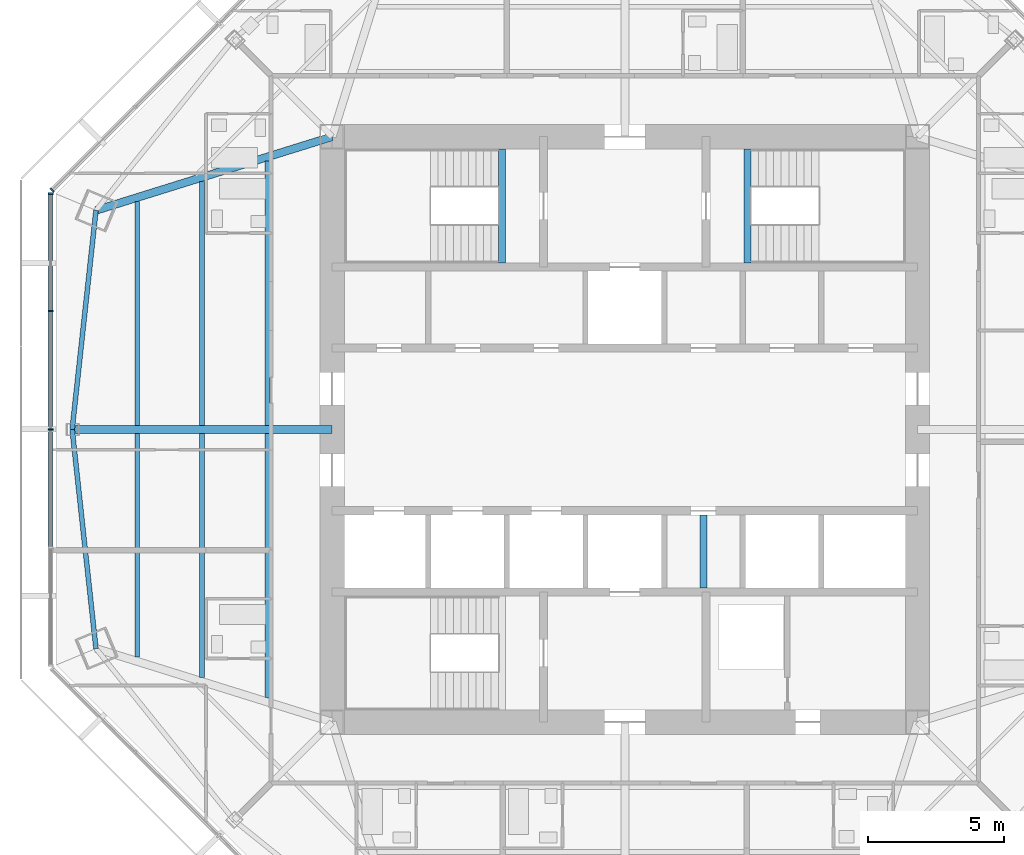
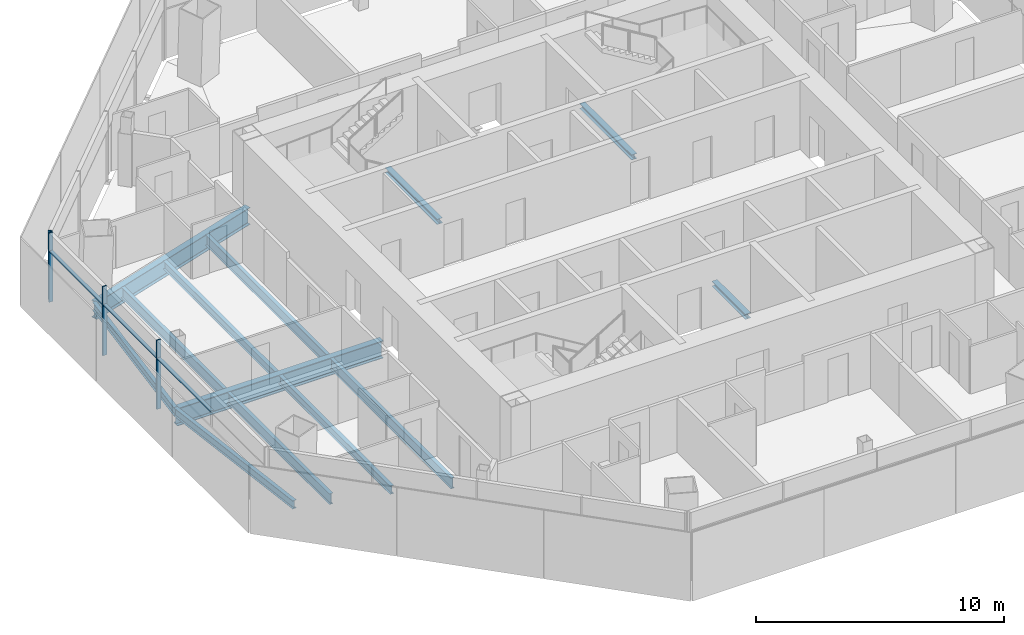
# One storey, part 3 of 14: 13 beams, 7 members, 2 elements without a shape of their own.
"""IFC4 building model written with IfcOpenShell, lengths in metres."""

import ifcopenshell
import ifcopenshell.guid

model = None  # the IFC model being written
_history = None  # IfcOwnerHistory: only IFC2X3 demands one
_inside = {}  # id of a spatial element -> (the spatial element, [elements in it])
_under = {}  # id of a project, library or spatial element -> (it, [spatial elements below it])
_declared = {}  # id of a project -> (the project, [libraries it declares])
_typed = {}  # id of a type object -> (the type object, [elements of that type])
_made_of = {}  # id of a material, layer set ... -> (it, [elements and type objects made of it])


def new_model(schema):
    """Start an empty IFC model of exactly this schema.

    Asked for "IFC4X3", IfcOpenShell would pick the latest addendum, in which some entities
    have other attributes; the version numbers below select the first issue.
    IFC2X3 requires an IfcOwnerHistory on every rooted entity: one is made here for all.
    """
    global model, _history
    if schema == "IFC4X3":
        model = ifcopenshell.file(schema_version=(4, 3, 0, 0))
    else:
        model = ifcopenshell.file(schema=schema)
    _inside.clear()
    _under.clear()
    _declared.clear()
    _typed.clear()
    _made_of.clear()
    _history = None
    if model.schema == "IFC2X3":
        org = make("IfcOrganization", Name="unknown")
        user = make(
            "IfcPersonAndOrganization",
            ThePerson=make("IfcPerson", FamilyName="unknown"),
            TheOrganization=org,
        )
        app = make(
            "IfcApplication",
            ApplicationDeveloper=org,
            Version="unknown",
            ApplicationFullName="unknown",
            ApplicationIdentifier="unknown",
        )
        _history = make(
            "IfcOwnerHistory",
            OwningUser=user,
            OwningApplication=app,
            ChangeAction="ADDED",
            CreationDate=0,
        )
    return model


def make(cls, **values):
    """One entity of the class cls with the attributes given. An attribute that is None is left unset."""
    return model.create_entity(
        cls, **{name: value for name, value in values.items() if value is not None}
    )


def rooted(cls, **values):
    """An entity with a GlobalId (a new one), such as an element, a storey or a relation."""
    return make(cls, GlobalId=ifcopenshell.guid.new(), OwnerHistory=_history, **values)


def si_unit(unit_type, name, prefix=None):
    """IfcSIUnit, for example si_unit("LENGTHUNIT", "METRE", prefix="MILLI")."""
    return make("IfcSIUnit", UnitType=unit_type, Prefix=prefix, Name=name)


def assignment(units):
    """IfcUnitAssignment: the units of a project."""
    return None if units is None else make("IfcUnitAssignment", Units=units)


def point(xyz):
    """IfcCartesianPoint."""
    return None if xyz is None else make("IfcCartesianPoint", Coordinates=xyz)


def direction(xyz):
    """IfcDirection."""
    return None if xyz is None else make("IfcDirection", DirectionRatios=xyz)


def frame(location, z_axis=None, x_axis=None):
    """IfcAxis2Placement3D, a coordinate frame: its origin and axes. An axis left out is left unset."""
    return make(
        "IfcAxis2Placement3D",
        Location=point(location),
        Axis=direction(z_axis),
        RefDirection=direction(x_axis),
    )


def frame_2d(location, x_axis=None):
    """IfcAxis2Placement2D, a coordinate frame in the plane: its origin and x axis."""
    return make(
        "IfcAxis2Placement2D", Location=point(location), RefDirection=direction(x_axis)
    )


def origin():
    """The frame at (0, 0, 0) with its axes left unset."""
    return frame((0.0, 0.0, 0.0))


def origin_2d():
    """The frame at (0, 0) in the plane with its x axis left unset."""
    return frame_2d((0.0, 0.0))


def place(relative_to, where):
    """IfcLocalPlacement: puts the frame where relative to a parent placement (None: the world)."""
    return make(
        "IfcLocalPlacement", PlacementRelTo=relative_to, RelativePlacement=where
    )


def context(
    kind, dimensions, precision=None, world=None, true_north=None, identifier=None
):
    """IfcGeometricRepresentationContext, for example the 3D "Model" context."""
    return make(
        "IfcGeometricRepresentationContext",
        ContextIdentifier=identifier,
        ContextType=kind,
        CoordinateSpaceDimension=dimensions,
        Precision=precision,
        WorldCoordinateSystem=world,
        TrueNorth=true_north,
    )


def subcontext(parent, identifier, kind, view, scale=None):
    """IfcGeometricRepresentationSubContext, for example "Body" below "Model"."""
    return make(
        "IfcGeometricRepresentationSubContext",
        ContextIdentifier=identifier,
        ContextType=kind,
        ParentContext=parent,
        TargetScale=scale,
        TargetView=view,
    )


def project(units=None, contexts=None):
    """IfcProject with its units and contexts."""
    return rooted(
        "IfcProject",
        Name="project",
        RepresentationContexts=contexts,
        UnitsInContext=assignment(units),
    )


def spatial(cls, under=None, at=None, **own):
    """A site, building, storey or space (cls), placed at a placement, below another one or the project."""
    s = rooted(cls, ObjectPlacement=at, **own)
    if under is not None:
        _under.setdefault(under.id(), (under, []))[1].append(s)
    return s


def profile(cls, at=None, kind="AREA", **sizes):
    """A parametric profile (cls). Its sizes go by their IFC names, for example OverallWidth=200.0."""
    return make(cls, ProfileType=kind, Position=at, **sizes)


def rectangle(**sizes):
    """IfcRectangleProfileDef."""
    return profile("IfcRectangleProfileDef", **sizes)


def i_section(**sizes):
    """IfcIShapeProfileDef."""
    return profile("IfcIShapeProfileDef", **sizes)


def extrude(swept, where, along, depth):
    """IfcExtrudedAreaSolid: the profile swept, set in the frame where, extruded along a direction by depth."""
    return make(
        "IfcExtrudedAreaSolid",
        SweptArea=swept,
        Position=where,
        ExtrudedDirection=direction(along),
        Depth=depth,
    )


def shape(context_of_items, identifier, shape_type, items):
    """IfcShapeRepresentation: the items that make up one representation, for example the "Body"."""
    return make(
        "IfcShapeRepresentation",
        ContextOfItems=context_of_items,
        RepresentationIdentifier=identifier,
        RepresentationType=shape_type,
        Items=items,
    )


def source(mapping_origin, context_of_items, identifier, shape_type, items):
    """IfcRepresentationMap: a shape defined once, which mapped items show again and again."""
    return make(
        "IfcRepresentationMap",
        MappingOrigin=mapping_origin,
        MappedRepresentation=shape(context_of_items, identifier, shape_type, items),
    )


def transform(
    local_origin,
    x_axis=None,
    y_axis=None,
    z_axis=None,
    scale=None,
    scale2=None,
    scale3=None,
    uniform=True,
):
    """IfcCartesianTransformationOperator3D, or its non-uniform kind. x_axis, y_axis, z_axis: its Axis1, 2, 3."""
    if uniform:
        return make(
            "IfcCartesianTransformationOperator3D",
            Axis1=direction(x_axis),
            Axis2=direction(y_axis),
            LocalOrigin=point(local_origin),
            Scale=scale,
            Axis3=direction(z_axis),
        )
    return make(
        "IfcCartesianTransformationOperator3DnonUniform",
        Axis1=direction(x_axis),
        Axis2=direction(y_axis),
        LocalOrigin=point(local_origin),
        Scale=scale,
        Axis3=direction(z_axis),
        Scale2=scale2,
        Scale3=scale3,
    )


def mapped(mapping_source, mapping_target):
    """IfcMappedItem: shows the shape of a source again, moved by a transform."""
    return make(
        "IfcMappedItem", MappingSource=mapping_source, MappingTarget=mapping_target
    )


def material(Name=None, Category=None):
    """IfcMaterial."""
    return make("IfcMaterial", Name=Name, Category=Category)


def material_profile(
    of_material, cross_section, Name=None, Category=None, Priority=None
):
    """IfcMaterialProfile: a cross section and its material."""
    return make(
        "IfcMaterialProfile",
        Name=Name,
        Material=of_material,
        Profile=cross_section,
        Priority=Priority,
        Category=Category,
    )


def profile_set(profiles, Name=None, composite=None):
    """IfcMaterialProfileSet."""
    return make(
        "IfcMaterialProfileSet",
        Name=Name,
        MaterialProfiles=profiles,
        CompositeProfile=composite,
    )


def made_of(thing, what):
    """Note that an element or type object is made of a material, layer set ...; save() writes the relation."""
    if what is not None:
        _made_of.setdefault(what.id(), (what, []))[1].append(thing)
    return thing


def type_object(cls, material=None, **own):
    """A type object (cls), such as IfcWallType, which elements share."""
    return made_of(rooted(cls, **own), material)


def type_shapes(of_type, sources):
    """Give a type object the sources (RepresentationMaps) that its elements show as mapped items."""
    of_type.RepresentationMaps = sources


def element(
    cls,
    number,
    at=None,
    inside=None,
    cuts=None,
    type_object=None,
    material=None,
    context=None,
    identifier="Body",
    shape_type=None,
    held_by="IfcProductDefinitionShape",
    body=None,
    shapes=None,
    **own,
):
    """One element of the class cls, such as IfcWall. Its Tag is "e" and its number.

    at: its placement. inside: the storey or other place that contains it. cuts: it is an
    opening in that element (IfcRelVoidsElement). A single representation is given by context,
    identifier, shape_type and body (its items); several are given by shapes. held_by: the class
    of the entity that holds the representations. save() writes the other relations.
    """
    e = rooted(cls, Tag="e%d" % number, ObjectPlacement=at, **own)
    if body is not None:
        shapes = [shape(context, identifier, shape_type, body)]
    if shapes is not None:
        e.Representation = make(held_by, Representations=shapes)
    if inside is not None:
        _inside.setdefault(inside.id(), (inside, []))[1].append(e)
    if cuts is not None:
        rooted(
            "IfcRelVoidsElement", RelatingBuildingElement=cuts, RelatedOpeningElement=e
        )
    if type_object is not None:
        _typed.setdefault(type_object.id(), (type_object, []))[1].append(e)
    return made_of(e, material)


def aggregate(whole, parts):
    """IfcRelAggregates: a whole, such as a stair, and the parts it consists of."""
    return rooted("IfcRelAggregates", RelatingObject=whole, RelatedObjects=parts)


def save(model, path):
    """Write the relations noted so far, then the file.

    IfcRelAggregates (storeys below a building ...), IfcRelContainedInSpatialStructure (elements
    in a storey), IfcRelDefinesByType, IfcRelAssociatesMaterial and IfcRelDeclares: one each for
    every whole, place, type object, material and project.
    """
    for whole, parts in _under.values():
        aggregate(whole, parts)
    for where, things in _inside.values():
        rooted(
            "IfcRelContainedInSpatialStructure",
            RelatedElements=things,
            RelatingStructure=where,
        )
    for kind, things in _typed.values():
        rooted("IfcRelDefinesByType", RelatedObjects=things, RelatingType=kind)
    for what, things in _made_of.values():
        rooted("IfcRelAssociatesMaterial", RelatedObjects=things, RelatingMaterial=what)
    for by, libraries in _declared.values():
        rooted("IfcRelDeclares", RelatingContext=by, RelatedDefinitions=libraries)
    model.write(path)


model = new_model("IFC4")

# Units and contexts
model_context = context("Model", 3, precision=1e-05, world=origin(), true_north=direction((0.0, 1.0)))
body_context = subcontext(model_context, "Body", "Model", "MODEL_VIEW")
ifc_project = project(units=[si_unit("LENGTHUNIT", "METRE"), si_unit("AREAUNIT", "SQUARE_METRE"), si_unit("VOLUMEUNIT", "CUBIC_METRE"), si_unit("PLANEANGLEUNIT", "RADIAN"), si_unit("MASSUNIT", "GRAM", prefix="KILO")], contexts=[model_context])

# Site, building, storey
site_placement = place(None, origin())
site = spatial("IfcSite", under=ifc_project, at=site_placement, CompositionType="ELEMENT")
building_placement = place(site_placement, origin())
building = spatial("IfcBuilding", under=site, at=building_placement, Name="Mashrafa Tower", CompositionType="ELEMENT")
storey_placement = place(building_placement, frame((0.0, 0.0, 241.39990234375)))
storey = spatial("IfcBuildingStorey", under=building, at=storey_placement, Name="L57", CompositionType="ELEMENT", Elevation=241.39990234375)

# Beams
ifc_material_1 = material(Name="Steel ASTM A992", Category="steel")
ifc_material_profile_1 = material_profile(ifc_material_1, i_section(OverallWidth=0.177734375, OverallDepth=0.406494140625, WebThickness=0.0078125, FlangeThickness=0.012939453125, FilletRadius=0.01025390625, at=origin_2d()), Name="W16X40")
ifc_profile_set_1 = profile_set([ifc_material_profile_1], Name="Steel ASTM A992")
beam_type_1 = type_object("IfcBeamType", Name="Beam W16X40", PredefinedType="BEAM", material=ifc_profile_set_1)
for number, where, z_axis, x_axis, name in (
    (1, (-15.595703125, -9.1513671875, -0.403076171875), (0.0, 1.0, 0.0), (-1.0, 0.0, 0.0), "Floor beam L57 004"),
    (2, (-15.595703125, 0.14599609375, -0.403076171875), (0.0, 1.0, 0.0), (-1.0, 0.0, 0.0), "Floor beam L57 005"),
):
    element("IfcBeam", number, at=place(storey_placement, frame(where, z_axis=z_axis, x_axis=x_axis)), inside=storey, type_object=beam_type_1, Name=name, PredefinedType="BEAM", context=body_context, shape_type="SweptSolid", body=[
        extrude(i_section(OverallWidth=0.177734375, OverallDepth=0.406494140625, WebThickness=0.0078125, FlangeThickness=0.012939453125, FilletRadius=0.01025390625, at=origin_2d()), origin(), (0.0, 0.0, 1.0), 9.00537109375),
    ])
for number, where, z_axis, x_axis, name in (
    (3, (-20.3916015625, 0.0, -0.403076171875), (0.108041761262, -0.99414635634, 0.0), (0.99414635634, 0.108041761262, 0.0), "Spandrel beam L57 049"),
    (4, (-19.51318359375, 8.082763671875, -0.403076171875), (-0.108041761262, -0.99414635634, 0.0), (0.99414635634, -0.108041761262, 0.0), "Spandrel beam L57 051"),
):
    element("IfcBeam", number, at=place(storey_placement, frame(where, z_axis=z_axis, x_axis=x_axis)), inside=storey, type_object=beam_type_1, Name=name, PredefinedType="BEAM", context=body_context, shape_type="SweptSolid", body=[
        extrude(i_section(OverallWidth=0.177734375, OverallDepth=0.406494140625, WebThickness=0.0078125, FlangeThickness=0.012939453125, FilletRadius=0.01025390625, at=origin_2d()), origin(), (0.0, 0.0, 1.0), 8.13037109375),
    ])
ifc_material_2 = material(Name="Steel ASTM A992", Category="steel")
ifc_material_profile_2 = material_profile(ifc_material_2, i_section(OverallWidth=0.165771484375, OverallDepth=0.5283203125, WebThickness=0.009765625, FlangeThickness=0.013671875, FilletRadius=0.012939453125, at=origin_2d()), Name="W21X50")
ifc_profile_set_2 = profile_set([ifc_material_profile_2], Name="Steel ASTM A992")
beam_type_2 = type_object("IfcBeamType", Name="Beam W21X50", PredefinedType="BEAM", material=ifc_profile_set_2)
for number, where, z_axis, x_axis, name in (
    (5, (-17.99365234375, -8.403564453125, -0.464111328125), (0.0, 1.0, 0.0), (-1.0, 0.0, 0.0), "Floor beam L57 001"),
    (6, (-17.99365234375, 0.14599609375, -0.464111328125), (0.0, 1.0, 0.0), (-1.0, 0.0, 0.0), "Floor beam L57 002"),
):
    element("IfcBeam", number, at=place(storey_placement, frame(where, z_axis=z_axis, x_axis=x_axis)), inside=storey, type_object=beam_type_2, Name=name, PredefinedType="BEAM", context=body_context, shape_type="SweptSolid", body=[
        extrude(i_section(OverallWidth=0.165771484375, OverallDepth=0.5283203125, WebThickness=0.009765625, FlangeThickness=0.013671875, FilletRadius=0.012939453125, at=origin_2d()), origin(), (0.0, 0.0, 1.0), 8.257568359375),
    ])
for number, where, z_axis, x_axis, name in (
    (7, (-13.197998046875, -9.899169921875, -0.464111328125), (0.0, 1.0, 0.0), (-1.0, 0.0, 0.0), "Floor beam L57 006"),
    (8, (-13.197998046875, 0.14599609375, -0.464111328125), (0.0, 1.0, 0.0), (-1.0, 0.0, 0.0), "Floor beam L57 007"),
):
    element("IfcBeam", number, at=place(storey_placement, frame(where, z_axis=z_axis, x_axis=x_axis)), inside=storey, type_object=beam_type_2, Name=name, PredefinedType="BEAM", context=body_context, shape_type="SweptSolid", body=[
        extrude(i_section(OverallWidth=0.165771484375, OverallDepth=0.5283203125, WebThickness=0.009765625, FlangeThickness=0.013671875, FilletRadius=0.012939453125, at=origin_2d()), origin(), (0.0, 0.0, 1.0), 9.753173828125),
    ])
ifc_material_3 = material(Name="Steel ASTM A992", Category="steel")
ifc_material_profile_3 = material_profile(ifc_material_3, i_section(OverallWidth=0.2919921875, OverallDepth=0.8408203125, WebThickness=0.0146484375, FlangeThickness=0.021728515625, FilletRadius=0.017333984375, at=origin_2d()), Name="W33X130")
ifc_profile_set_3 = profile_set([ifc_material_profile_3], Name="Steel ASTM A992")
beam_type_3 = type_object("IfcBeamType", Name="Beam W33X130", PredefinedType="BEAM", material=ifc_profile_set_3)
beam_1_placement = place(storey_placement, frame((-10.800048828125, 10.800048828125, -0.620361328125), z_axis=(-0.954653543393, -0.297719015326, 0.0), x_axis=(0.297719015326, -0.954653543393, 0.0)))
element("IfcBeam", 9, at=beam_1_placement, inside=storey, type_object=beam_type_3, Name="Radial girder L57 037", PredefinedType="BEAM", context=body_context, shape_type="SweptSolid", body=[
    extrude(i_section(OverallWidth=0.2919921875, OverallDepth=0.8408203125, WebThickness=0.0146484375, FlangeThickness=0.021728515625, FilletRadius=0.017333984375, at=origin_2d()), origin(), (0.0, 0.0, 1.0), 9.126953125),
])
ifc_material_4 = material(Name="Steel ASTM A992", Category="steel")
ifc_material_profile_4 = material_profile(ifc_material_4, i_section(OverallWidth=0.2919921875, OverallDepth=0.8583984375, WebThickness=0.01708984375, FlangeThickness=0.031005859375, FilletRadius=0.017822265625, at=origin_2d()), Name="W33X169")
ifc_profile_set_4 = profile_set([ifc_material_profile_4], Name="Steel ASTM A992")
beam_type_4 = type_object("IfcBeamType", Name="Beam W33X169", PredefinedType="BEAM", material=ifc_profile_set_4)
beam_2_placement = place(storey_placement, frame((-10.800048828125, 0.0, -0.629150390625), z_axis=(-1.0, 0.0, 0.0), x_axis=(0.0, -1.0, 0.0)))
element("IfcBeam", 10, at=beam_2_placement, inside=storey, type_object=beam_type_4, Name="Radial girder L57 036", PredefinedType="BEAM", context=body_context, shape_type="SweptSolid", body=[
    extrude(i_section(OverallWidth=0.2919921875, OverallDepth=0.8583984375, WebThickness=0.01708984375, FlangeThickness=0.031005859375, FilletRadius=0.017822265625, at=origin_2d()), origin(), (0.0, 0.0, 1.0), 9.591552734375),
])
ifc_material_5 = material(Name="Steel ASTM A992", Category="steel")
ifc_material_profile_5 = material_profile(ifc_material_5, i_section(OverallWidth=0.25390625, OverallDepth=0.25390625, WebThickness=0.008544921875, FlangeThickness=0.01416015625, FilletRadius=0.010009765625, at=origin_2d()), Name="W10X49")
ifc_profile_set_5 = profile_set([ifc_material_profile_5], Name="Steel ASTM A992")
beam_type_5 = type_object("IfcBeamType", Name="Hoistway beam W10X49", PredefinedType="BEAM", material=ifc_profile_set_5)
beam_3_placement = place(storey_placement, frame((2.89990234375, -5.85009765625, -0.326904296875), z_axis=(0.0, 1.0, 0.0), x_axis=(-1.0, 0.0, 0.0)))
element("IfcBeam", 11, at=beam_3_placement, inside=storey, type_object=beam_type_5, Name="Hoistway beam L57 07", PredefinedType="BEAM", context=body_context, shape_type="SweptSolid", body=[
    extrude(i_section(OverallWidth=0.25390625, OverallDepth=0.25390625, WebThickness=0.008544921875, FlangeThickness=0.01416015625, FilletRadius=0.010009765625, at=origin_2d()), origin(), (0.0, 0.0, 1.0), 2.7001953125),
])
for number, where, z_axis, x_axis, name in (
    (12, (-4.530029296875, 6.14990234375, -0.326904296875), (0.0, 1.0, 0.0), (-1.0, 0.0, 0.0), "Stair S1 landing beam L57"),
    (13, (4.530029296875, 6.14990234375, -0.326904296875), (0.0, 1.0, 0.0), (-1.0, 0.0, 0.0), "Stair S2 landing beam L57"),
):
    element("IfcBeam", number, at=place(storey_placement, frame(where, z_axis=z_axis, x_axis=x_axis)), inside=storey, type_object=beam_type_5, Name=name, PredefinedType="BEAM", context=body_context, shape_type="SweptSolid", body=[
        extrude(i_section(OverallWidth=0.25390625, OverallDepth=0.25390625, WebThickness=0.008544921875, FlangeThickness=0.01416015625, FilletRadius=0.010009765625, at=origin_2d()), origin(), (0.0, 0.0, 1.0), 4.2001953125),
    ])

# Curtain wall, member
ifc_material_6 = material(Name="Unitised aluminium curtain wall", Category="aluminium")
curtain_wall_type = type_object("IfcCurtainWallType", Name="Apartment curtain wall, zone 3 CW-C 180 deep", PredefinedType="NOTDEFINED", material=ifc_material_6)
curtain_wall_1_placement = place(storey_placement, origin())
curtain_wall_1 = element("IfcCurtainWall", 14, at=curtain_wall_1_placement, inside=storey, type_object=curtain_wall_type, Name="Apartment curtain wall, zone 3 L57 north-west", PredefinedType="NOTDEFINED")
ifc_material_7 = material(Name="Extruded aluminium mullion", Category="aluminium")
ifc_material_profile_6 = material_profile(ifc_material_7, rectangle(XDim=0.179931640625, YDim=0.06005859375, at=origin_2d()), Name="Mullion 60x180")
ifc_profile_set_6 = profile_set([ifc_material_profile_6], Name="Extruded aluminium mullion")
member_type_1 = type_object("IfcMemberType", Name="Mullion CW-C 60 x 180", PredefinedType="MULLION", material=ifc_profile_set_6)
shared_shape_1 = source(origin(), body_context, "Body", "SweptSolid", [
    extrude(rectangle(XDim=0.179931640625, YDim=0.06005859375, at=origin_2d()), origin(), (0.0, 0.0, 1.0), 3.400146484375),
])
type_shapes(member_type_1, [shared_shape_1])
member_1_placement = place(storey_placement, frame((-21.131103515625, 8.830078125, 0.0), z_axis=(0.0, 0.0, 1.0), x_axis=(0.707106781187, -0.707106781187, 0.0)))
member_1 = element("IfcMember", 15, at=member_1_placement, type_object=member_type_1, Name="CW-C mullion 5", PredefinedType="MULLION", context=body_context, shape_type="MappedRepresentation", body=[
    mapped(shared_shape_1, transform((0.0, 0.0, 0.0))),
])
aggregate(curtain_wall_1, [member_1])

# Curtain wall, members
curtain_wall_2_placement = place(storey_placement, origin())
curtain_wall_2 = element("IfcCurtainWall", 16, at=curtain_wall_2_placement, inside=storey, type_object=curtain_wall_type, Name="Apartment curtain wall, zone 3 L57 west", PredefinedType="NOTDEFINED")
member_2_placement = place(storey_placement, frame((-21.185791015625, 8.6982421875, 0.0), z_axis=(0.0, 0.0, 1.0), x_axis=(1.0, 0.0, 0.0)))
member_2 = element("IfcMember", 17, at=member_2_placement, type_object=member_type_1, Name="CW-C mullion 1", PredefinedType="MULLION", context=body_context, shape_type="MappedRepresentation", body=[
    mapped(shared_shape_1, transform((0.0, 0.0, 0.0))),
])
member_3_placement = place(storey_placement, frame((-21.185791015625, 4.364013671875, 0.0), z_axis=(0.0, 0.0, 1.0), x_axis=(1.0, 0.0, 0.0)))
member_3 = element("IfcMember", 18, at=member_3_placement, type_object=member_type_1, Name="CW-C mullion 2", PredefinedType="MULLION", context=body_context, shape_type="MappedRepresentation", body=[
    mapped(shared_shape_1, transform((0.0, 0.0, 0.0))),
])
member_4_placement = place(storey_placement, frame((-21.185791015625, 0.0, 0.0), z_axis=(0.0, 0.0, 1.0), x_axis=(1.0, 0.0, 0.0)))
member_4 = element("IfcMember", 19, at=member_4_placement, type_object=member_type_1, Name="CW-C mullion 3", PredefinedType="MULLION", context=body_context, shape_type="MappedRepresentation", body=[
    mapped(shared_shape_1, transform((0.0, 0.0, 0.0))),
])
ifc_material_8 = material(Name="Extruded aluminium transom", Category="aluminium")
ifc_material_profile_7 = material_profile(ifc_material_8, rectangle(XDim=0.14404296875, YDim=0.074951171875, at=origin_2d()), Name="Transom 75x144")
ifc_profile_set_7 = profile_set([ifc_material_profile_7], Name="Extruded aluminium transom")
member_type_2 = type_object("IfcMemberType", Name="Transom CW-C 75 x 144", PredefinedType="MULLION", material=ifc_profile_set_7)
shared_shape_2 = source(origin(), body_context, "Body", "SweptSolid", [
    extrude(rectangle(XDim=0.14404296875, YDim=0.074951171875, at=origin_2d()), origin(), (0.0, 0.0, 1.0), 4.274169921875),
])
member_5_placement = place(storey_placement, frame((-21.185791015625, 8.668212890625, 2.5), z_axis=(0.0, -1.0, 0.0), x_axis=(1.0, 0.0, 0.0)))
member_5 = element("IfcMember", 20, at=member_5_placement, type_object=member_type_2, Name="CW-C transom 1", PredefinedType="MULLION", context=body_context, shape_type="MappedRepresentation", body=[
    mapped(shared_shape_2, transform((0.0, 0.0, 0.0))),
])
shared_shape_3 = source(origin(), body_context, "Body", "SweptSolid", [
    extrude(rectangle(XDim=0.14404296875, YDim=0.074951171875, at=origin_2d()), origin(), (0.0, 0.0, 1.0), 4.303955078125),
])
type_shapes(member_type_2, [shared_shape_2, shared_shape_3])
member_6_placement = place(storey_placement, frame((-21.185791015625, 4.333984375, 2.5), z_axis=(0.0, -1.0, 0.0), x_axis=(1.0, 0.0, 0.0)))
member_6 = element("IfcMember", 21, at=member_6_placement, type_object=member_type_2, Name="CW-C transom 2", PredefinedType="MULLION", context=body_context, shape_type="MappedRepresentation", body=[
    mapped(shared_shape_3, transform((0.0, 0.0, 0.0))),
])
member_7_placement = place(storey_placement, frame((-21.185791015625, -0.030029296875, 2.5), z_axis=(0.0, -1.0, 0.0), x_axis=(1.0, 0.0, 0.0)))
member_7 = element("IfcMember", 22, at=member_7_placement, type_object=member_type_2, Name="CW-C transom 3", PredefinedType="MULLION", context=body_context, shape_type="MappedRepresentation", body=[
    mapped(shared_shape_3, transform((0.0, 0.0, 0.0))),
])
aggregate(curtain_wall_2, [member_2, member_3, member_4, member_5, member_6, member_7])

save(model, "model.ifc")
